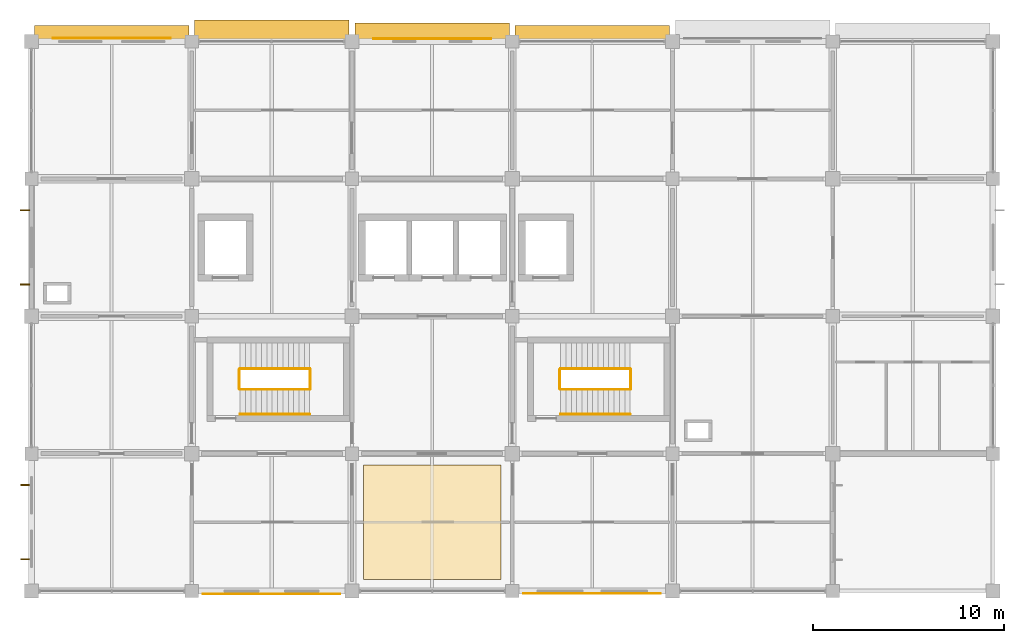
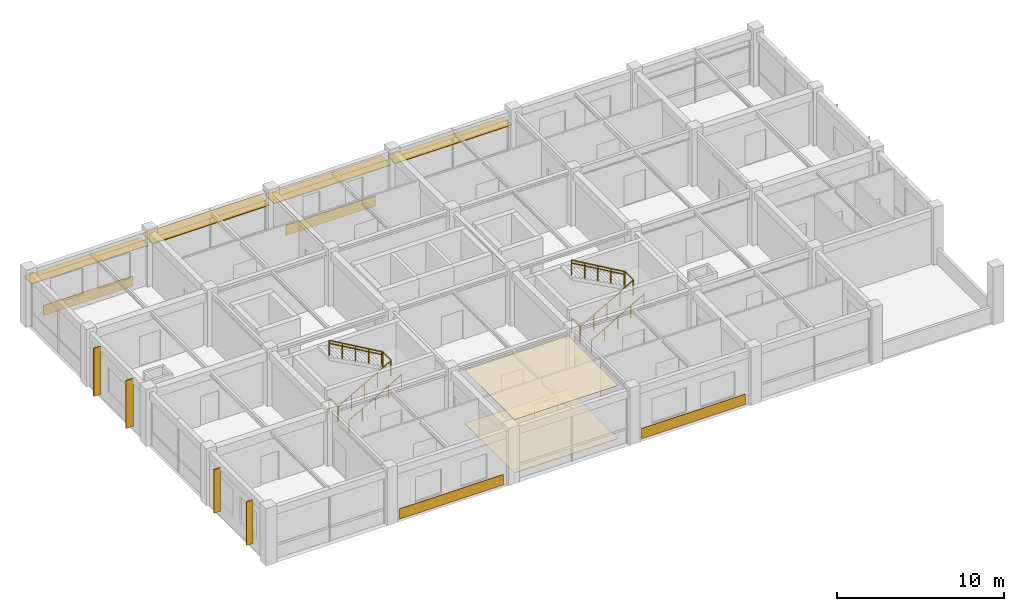
# One storey, part 13 of 14: 12 railings, 8 shading devices, 6 coverings.
"""IFC4 building model written with IfcOpenShell, lengths in metres."""

from ifc_helpers import new_model, si_unit, derived_unit, direction, frame, origin, origin_2d, place, context, subcontext, project, spatial, polyline, rectangle, circle, outline, extrude, material, layer, layer_set, type_object, element, save


model = new_model("IFC4")

# Units and contexts
model_context = context("Model", 3, precision=1e-05, world=origin(), true_north=direction((0.0, 1.0)))
body_context = subcontext(model_context, "Body", "Model", "MODEL_VIEW")
ifc_project = project(units=[si_unit("LENGTHUNIT", "METRE"), si_unit("AREAUNIT", "SQUARE_METRE"), si_unit("VOLUMEUNIT", "CUBIC_METRE"), si_unit("PLANEANGLEUNIT", "RADIAN"), si_unit("MASSUNIT", "GRAM", prefix="KILO"), derived_unit("THERMALTRANSMITTANCEUNIT", [(si_unit("MASSUNIT", "GRAM", prefix="KILO"), 1), (si_unit("TIMEUNIT", "SECOND"), -3), (si_unit("THERMODYNAMICTEMPERATUREUNIT", "KELVIN"), -1)])], contexts=[model_context])

# Site, building, storey
site_placement = place(None, origin())
site = spatial("IfcSite", under=ifc_project, at=site_placement, CompositionType="ELEMENT")
building_placement = place(site_placement, origin())
building = spatial("IfcBuilding", under=site, at=building_placement, Name="Veldstrom Oceanarium and Marine Research Institute", CompositionType="ELEMENT")
storey_placement = place(building_placement, frame((0.0, 0.0, 35.39990234375)))
storey = spatial("IfcBuildingStorey", under=building, at=storey_placement, Name="L07", CompositionType="ELEMENT", Elevation=35.39990234375)

# Coverings
ifc_material_1 = material(Name="Anodised Aluminium Spandrel Rainscreen Cladding", Category="aluminium")
ifc_layer_1 = layer(ifc_material_1, 0.75)
ifc_layer_set_1 = layer_set([ifc_layer_1], Name="ARC-COV-CD1")
covering_type_1 = type_object("IfcCoveringType", Name="ARC-COV-CD1", PredefinedType="CLADDING", material=ifc_layer_set_1)
for number, where, z_axis, x_axis, name in (
    (1, (79.78759765625, 43.04150390625, 0.045166015625), (0.0, 0.0, 1.0), (1.0, 0.0, 0.0), "Spandrel Rainscreen Cladding L07-120"),
    (2, (96.58740234375, 43.0615234375, 0.045166015625), (0.0, 0.0, 1.0), (1.0, 0.0, 0.0), "Spandrel Rainscreen Cladding L07-122"),
):
    element("IfcCovering", number, at=place(storey_placement, frame(where, z_axis=z_axis, x_axis=x_axis)), inside=storey, type_object=covering_type_1, Name=name, PredefinedType="CLADDING", context=body_context, shape_type="SweptSolid", body=[
        extrude(rectangle(XDim=7.199951171875, YDim=0.034912109375, at=origin_2d()), origin(), (0.0, 0.0, 1.0), 0.75),
    ])
ifc_material_2 = material(Name="Terracotta Spandrel Rainscreen Cladding", Category="masonry")
ifc_layer_2 = layer(ifc_material_2, 0.75)
ifc_layer_set_2 = layer_set([ifc_layer_2], Name="ARC-COV-CD2")
covering_type_2 = type_object("IfcCoveringType", Name="ARC-COV-CD2", PredefinedType="CLADDING", material=ifc_layer_set_2)
for number, where, z_axis, x_axis, name in (
    (3, (71.41259765625, 72.1708984375, 0.045166015625), (0.0, 0.0, 1.0), (1.0, 0.0, 0.0), "Spandrel Rainscreen Cladding L07-119"),
    (4, (88.21240234375, 72.15087890625, 0.045166015625), (0.0, 0.0, 1.0), (1.0, 0.0, 0.0), "Spandrel Rainscreen Cladding L07-121"),
):
    element("IfcCovering", number, at=place(storey_placement, frame(where, z_axis=z_axis, x_axis=x_axis)), inside=storey, type_object=covering_type_2, Name=name, PredefinedType="CLADDING", context=body_context, shape_type="SweptSolid", body=[
        extrude(rectangle(XDim=6.199951171875, YDim=0.0400390625, at=origin_2d()), origin(), (0.0, 0.0, 1.0), 0.75),
    ])
ifc_material_3 = material(Name="Mineral-Fibre Acoustic Ceiling Tile", Category="gypsum")
ifc_layer_3 = layer(ifc_material_3, 0.02490234375)
ifc_layer_set_3 = layer_set([ifc_layer_3], Name="ARC-COV-CL1")
covering_type_3 = type_object("IfcCoveringType", Name="ARC-COV-CL1", PredefinedType="CEILING", material=ifc_layer_set_3)
covering_1_placement = place(storey_placement, frame((0.0, 0.0, 3.89501953125)))
element("IfcCovering", 5, at=covering_1_placement, inside=storey, type_object=covering_type_3, Name="Suspended Acoustic Ceiling L07", PredefinedType="CEILING", context=body_context, shape_type="SweptSolid", body=[
    extrude(outline(polyline([(84.60009765625, 43.800048828125), (91.800048828125, 43.800048828125), (91.800048828125, 49.800048828125), (84.60009765625, 49.800048828125), (84.60009765625, 43.800048828125)])), origin(), (0.0, 0.0, 1.0), 0.025146484375),
])
ifc_material_4 = material(Name="Polished Terrazzo and Marine Epoxy Flooring", Category="concrete")
ifc_layer_4 = layer(ifc_material_4, 0.02001953125)
ifc_layer_set_4 = layer_set([ifc_layer_4], Name="ARC-COV-FL1")
covering_type_4 = type_object("IfcCoveringType", Name="ARC-COV-FL1", PredefinedType="FLOORING", material=ifc_layer_set_4)
covering_2_placement = place(storey_placement, origin())
element("IfcCovering", 6, at=covering_2_placement, inside=storey, type_object=covering_type_4, Name="Terrazzo and Marine Epoxy Floor Finish L07", PredefinedType="FLOORING", context=body_context, shape_type="SweptSolid", body=[
    extrude(outline(polyline([(84.60009765625, 43.800048828125), (91.800048828125, 43.800048828125), (91.800048828125, 49.800048828125), (84.60009765625, 49.800048828125), (84.60009765625, 43.800048828125)])), origin(), (0.0, 0.0, 1.0), 0.02001953125),
])

# Railings
ifc_material_5 = material(Name="Duplex Stainless Steel Balustrade", Category="steel")
ifc_layer_5 = layer(ifc_material_5, 0.06005859375)
ifc_layer_set_5 = layer_set([ifc_layer_5], Name="ARC-RLG-GR1")
railing_type_1 = type_object("IfcRailingType", Name="ARC-RLG-GR1", PredefinedType="GUARDRAIL", material=ifc_layer_set_5)
railing_1_placement = place(storey_placement, frame((78.10009765625, 53.800048828125, 0.0)))
element("IfcRailing", 7, at=railing_1_placement, inside=storey, type_object=railing_type_1, Name="Stair Well Landing Guard ST1 L07", PredefinedType="GUARDRAIL", context=body_context, shape_type="SweptSolid", body=[
    extrude(circle(Radius=0.02392578125, at=origin_2d()), frame((0.0, 0.0, 1.09619140625), z_axis=(0.0, 1.0, 0.0), x_axis=(-1.0, 0.0, 0.0)), (0.0, 0.0, 1.0), 1.0),
    extrude(circle(Radius=0.02099609375, at=origin_2d()), origin(), (0.0, 0.0, 1.0), 1.072021484375),
    extrude(circle(Radius=0.02099609375, at=origin_2d()), frame((0.0, 1.0, 0.0)), (0.0, 0.0, 1.0), 1.072021484375),
])
railing_2_placement = place(storey_placement, frame((78.139892578125, 53.760009765625, 0.0)))
element("IfcRailing", 8, at=railing_2_placement, inside=storey, type_object=railing_type_1, Name="Stair Flight Guardrail ST1-L07-1", PredefinedType="GUARDRAIL", context=body_context, shape_type="SweptSolid", body=[
    extrude(circle(Radius=0.02392578125, at=origin_2d()), frame((0.0, 0.0, 1.09619140625), z_axis=(0.86618365172, 0.0, 0.499725806311), x_axis=(0.0, 1.0, 0.0)), (0.0, 0.0, 1.0), 4.202392578125),
    extrude(circle(Radius=0.02099609375, at=origin_2d()), origin(), (0.0, 0.0, 1.0), 1.072021484375),
    extrude(circle(Radius=0.02099609375, at=origin_2d()), frame((0.91015625, 0.0, 0.52490234375)), (0.0, 0.0, 1.0), 1.072021484375),
    extrude(circle(Radius=0.02099609375, at=origin_2d()), frame((1.820068359375, 0.0, 1.050048828125)), (0.0, 0.0, 1.0), 1.072021484375),
    extrude(circle(Radius=0.02099609375, at=origin_2d()), frame((2.72998046875, 0.0, 1.5751953125)), (0.0, 0.0, 1.0), 1.072021484375),
    extrude(circle(Radius=0.02099609375, at=origin_2d()), frame((3.64013671875, 0.0, 2.10009765625)), (0.0, 0.0, 1.0), 1.072021484375),
])
railing_3_placement = place(storey_placement, frame((81.820068359375, 53.800048828125, 2.10009765625)))
element("IfcRailing", 9, at=railing_3_placement, inside=storey, type_object=railing_type_1, Name="Stair Half-Landing Guardrail ST1-L07", PredefinedType="GUARDRAIL", context=body_context, shape_type="SweptSolid", body=[
    extrude(circle(Radius=0.02392578125, at=origin_2d()), frame((0.0, 0.0, 1.09619140625), z_axis=(0.0, 1.0, 0.0), x_axis=(-1.0, 0.0, 0.0)), (0.0, 0.0, 1.0), 1.0),
    extrude(circle(Radius=0.02099609375, at=origin_2d()), origin(), (0.0, 0.0, 1.0), 1.072021484375),
    extrude(circle(Radius=0.02099609375, at=origin_2d()), frame((0.0, 1.0, 0.0)), (0.0, 0.0, 1.0), 1.072021484375),
])
railing_4_placement = place(storey_placement, frame((81.780029296875, 54.840087890625, 2.10009765625)))
element("IfcRailing", 10, at=railing_4_placement, inside=storey, type_object=railing_type_1, Name="Stair Flight Guardrail ST1-L07-2", PredefinedType="GUARDRAIL", context=body_context, shape_type="SweptSolid", body=[
    extrude(circle(Radius=0.02392578125, at=origin_2d()), frame((0.0, 0.0, 1.09619140625), z_axis=(-0.86618365172, 0.0, 0.499725806311), x_axis=(0.0, -1.0, 0.0)), (0.0, 0.0, 1.0), 4.202392578125),
    extrude(circle(Radius=0.02099609375, at=origin_2d()), origin(), (0.0, 0.0, 1.0), 1.072021484375),
    extrude(circle(Radius=0.02099609375, at=origin_2d()), frame((-0.91015625, 0.0, 0.52490234375)), (0.0, 0.0, 1.0), 1.072021484375),
    extrude(circle(Radius=0.02099609375, at=origin_2d()), frame((-1.820068359375, 0.0, 1.050048828125)), (0.0, 0.0, 1.0), 1.072021484375),
    extrude(circle(Radius=0.02099609375, at=origin_2d()), frame((-2.72998046875, 0.0, 1.5751953125)), (0.0, 0.0, 1.0), 1.072021484375),
    extrude(circle(Radius=0.02099609375, at=origin_2d()), frame((-3.64013671875, 0.0, 2.10009765625)), (0.0, 0.0, 1.0), 1.072021484375),
])
railing_5_placement = place(storey_placement, frame((94.89990234375, 53.800048828125, 0.0)))
element("IfcRailing", 11, at=railing_5_placement, inside=storey, type_object=railing_type_1, Name="Stair Well Landing Guard ST2 L07", PredefinedType="GUARDRAIL", context=body_context, shape_type="SweptSolid", body=[
    extrude(circle(Radius=0.02392578125, at=origin_2d()), frame((0.0, 0.0, 1.09619140625), z_axis=(0.0, 1.0, 0.0), x_axis=(-1.0, 0.0, 0.0)), (0.0, 0.0, 1.0), 1.0),
    extrude(circle(Radius=0.02099609375, at=origin_2d()), origin(), (0.0, 0.0, 1.0), 1.072021484375),
    extrude(circle(Radius=0.02099609375, at=origin_2d()), frame((0.0, 1.0, 0.0)), (0.0, 0.0, 1.0), 1.072021484375),
])
railing_6_placement = place(storey_placement, frame((94.93994140625, 53.760009765625, 0.0)))
element("IfcRailing", 12, at=railing_6_placement, inside=storey, type_object=railing_type_1, Name="Stair Flight Guardrail ST2-L07-1", PredefinedType="GUARDRAIL", context=body_context, shape_type="SweptSolid", body=[
    extrude(circle(Radius=0.02392578125, at=origin_2d()), frame((0.0, 0.0, 1.09619140625), z_axis=(0.86618365172, 0.0, 0.499725806311), x_axis=(0.0, 1.0, 0.0)), (0.0, 0.0, 1.0), 4.202392578125),
    extrude(circle(Radius=0.02099609375, at=origin_2d()), origin(), (0.0, 0.0, 1.0), 1.072021484375),
    extrude(circle(Radius=0.02099609375, at=origin_2d()), frame((0.91015625, 0.0, 0.52490234375)), (0.0, 0.0, 1.0), 1.072021484375),
    extrude(circle(Radius=0.02099609375, at=origin_2d()), frame((1.820068359375, 0.0, 1.050048828125)), (0.0, 0.0, 1.0), 1.072021484375),
    extrude(circle(Radius=0.02099609375, at=origin_2d()), frame((2.72998046875, 0.0, 1.5751953125)), (0.0, 0.0, 1.0), 1.072021484375),
    extrude(circle(Radius=0.02099609375, at=origin_2d()), frame((3.64013671875, 0.0, 2.10009765625)), (0.0, 0.0, 1.0), 1.072021484375),
])
railing_7_placement = place(storey_placement, frame((98.6201171875, 53.800048828125, 2.10009765625)))
element("IfcRailing", 13, at=railing_7_placement, inside=storey, type_object=railing_type_1, Name="Stair Half-Landing Guardrail ST2-L07", PredefinedType="GUARDRAIL", context=body_context, shape_type="SweptSolid", body=[
    extrude(circle(Radius=0.02392578125, at=origin_2d()), frame((0.0, 0.0, 1.09619140625), z_axis=(0.0, 1.0, 0.0), x_axis=(-1.0, 0.0, 0.0)), (0.0, 0.0, 1.0), 1.0),
    extrude(circle(Radius=0.02099609375, at=origin_2d()), origin(), (0.0, 0.0, 1.0), 1.072021484375),
    extrude(circle(Radius=0.02099609375, at=origin_2d()), frame((0.0, 1.0, 0.0)), (0.0, 0.0, 1.0), 1.072021484375),
])
railing_8_placement = place(storey_placement, frame((98.580078125, 54.840087890625, 2.10009765625)))
element("IfcRailing", 14, at=railing_8_placement, inside=storey, type_object=railing_type_1, Name="Stair Flight Guardrail ST2-L07-2", PredefinedType="GUARDRAIL", context=body_context, shape_type="SweptSolid", body=[
    extrude(circle(Radius=0.02392578125, at=origin_2d()), frame((0.0, 0.0, 1.09619140625), z_axis=(-0.86618365172, 0.0, 0.499725806311), x_axis=(0.0, -1.0, 0.0)), (0.0, 0.0, 1.0), 4.202392578125),
    extrude(circle(Radius=0.02099609375, at=origin_2d()), origin(), (0.0, 0.0, 1.0), 1.072021484375),
    extrude(circle(Radius=0.02099609375, at=origin_2d()), frame((-0.91015625, 0.0, 0.52490234375)), (0.0, 0.0, 1.0), 1.072021484375),
    extrude(circle(Radius=0.02099609375, at=origin_2d()), frame((-1.820068359375, 0.0, 1.050048828125)), (0.0, 0.0, 1.0), 1.072021484375),
    extrude(circle(Radius=0.02099609375, at=origin_2d()), frame((-2.72998046875, 0.0, 1.5751953125)), (0.0, 0.0, 1.0), 1.072021484375),
    extrude(circle(Radius=0.02099609375, at=origin_2d()), frame((-3.64013671875, 0.0, 2.10009765625)), (0.0, 0.0, 1.0), 1.072021484375),
])
ifc_material_6 = material(Name="Brushed Stainless Steel Handrail", Category="steel")
ifc_layer_6 = layer(ifc_material_6, 0.050048828125)
ifc_layer_set_6 = layer_set([ifc_layer_6], Name="ARC-RLG-HR1")
railing_type_2 = type_object("IfcRailingType", Name="ARC-RLG-HR1", PredefinedType="HANDRAIL", material=ifc_layer_set_6)
railing_9_placement = place(storey_placement, frame((78.139892578125, 52.4599609375, 0.0)))
element("IfcRailing", 15, at=railing_9_placement, inside=storey, type_object=railing_type_2, Name="Stair Wall Handrail ST1-L07-1", PredefinedType="HANDRAIL", context=body_context, shape_type="SweptSolid", body=[
    extrude(circle(Radius=0.02392578125, at=origin_2d()), frame((0.0, 0.0, 0.8759765625), z_axis=(0.86618365172, 0.0, 0.499725806311), x_axis=(0.0, 1.0, 0.0)), (0.0, 0.0, 1.0), 4.202392578125),
    extrude(circle(Radius=0.02099609375, at=origin_2d()), origin(), (0.0, 0.0, 1.0), 0.851806640625),
    extrude(circle(Radius=0.02099609375, at=origin_2d()), frame((0.91015625, 0.0, 0.52490234375)), (0.0, 0.0, 1.0), 0.851806640625),
    extrude(circle(Radius=0.02099609375, at=origin_2d()), frame((1.820068359375, 0.0, 1.050048828125)), (0.0, 0.0, 1.0), 0.851806640625),
    extrude(circle(Radius=0.02099609375, at=origin_2d()), frame((2.72998046875, 0.0, 1.5751953125)), (0.0, 0.0, 1.0), 0.851806640625),
    extrude(circle(Radius=0.02099609375, at=origin_2d()), frame((3.64013671875, 0.0, 2.10009765625)), (0.0, 0.0, 1.0), 0.851806640625),
])
railing_10_placement = place(storey_placement, frame((81.780029296875, 54.860107421875, 2.10009765625)))
element("IfcRailing", 16, at=railing_10_placement, inside=storey, type_object=railing_type_2, Name="Stair Wall Handrail ST1-L07-2", PredefinedType="HANDRAIL", context=body_context, shape_type="SweptSolid", body=[
    extrude(circle(Radius=0.02392578125, at=origin_2d()), frame((0.0, 0.0, 0.8759765625), z_axis=(-0.86618365172, 0.0, 0.499725806311), x_axis=(0.0, -1.0, 0.0)), (0.0, 0.0, 1.0), 4.202392578125),
    extrude(circle(Radius=0.02099609375, at=origin_2d()), origin(), (0.0, 0.0, 1.0), 0.851806640625),
    extrude(circle(Radius=0.02099609375, at=origin_2d()), frame((-0.91015625, 0.0, 0.52490234375)), (0.0, 0.0, 1.0), 0.851806640625),
    extrude(circle(Radius=0.02099609375, at=origin_2d()), frame((-1.820068359375, 0.0, 1.050048828125)), (0.0, 0.0, 1.0), 0.851806640625),
    extrude(circle(Radius=0.02099609375, at=origin_2d()), frame((-2.72998046875, 0.0, 1.5751953125)), (0.0, 0.0, 1.0), 0.851806640625),
    extrude(circle(Radius=0.02099609375, at=origin_2d()), frame((-3.64013671875, 0.0, 2.10009765625)), (0.0, 0.0, 1.0), 0.851806640625),
])
railing_11_placement = place(storey_placement, frame((94.93994140625, 52.4599609375, 0.0)))
element("IfcRailing", 17, at=railing_11_placement, inside=storey, type_object=railing_type_2, Name="Stair Wall Handrail ST2-L07-1", PredefinedType="HANDRAIL", context=body_context, shape_type="SweptSolid", body=[
    extrude(circle(Radius=0.02392578125, at=origin_2d()), frame((0.0, 0.0, 0.8759765625), z_axis=(0.86618365172, 0.0, 0.499725806311), x_axis=(0.0, 1.0, 0.0)), (0.0, 0.0, 1.0), 4.202392578125),
    extrude(circle(Radius=0.02099609375, at=origin_2d()), origin(), (0.0, 0.0, 1.0), 0.851806640625),
    extrude(circle(Radius=0.02099609375, at=origin_2d()), frame((0.91015625, 0.0, 0.52490234375)), (0.0, 0.0, 1.0), 0.851806640625),
    extrude(circle(Radius=0.02099609375, at=origin_2d()), frame((1.820068359375, 0.0, 1.050048828125)), (0.0, 0.0, 1.0), 0.851806640625),
    extrude(circle(Radius=0.02099609375, at=origin_2d()), frame((2.72998046875, 0.0, 1.5751953125)), (0.0, 0.0, 1.0), 0.851806640625),
    extrude(circle(Radius=0.02099609375, at=origin_2d()), frame((3.64013671875, 0.0, 2.10009765625)), (0.0, 0.0, 1.0), 0.851806640625),
])
railing_12_placement = place(storey_placement, frame((98.580078125, 54.860107421875, 2.10009765625)))
element("IfcRailing", 18, at=railing_12_placement, inside=storey, type_object=railing_type_2, Name="Stair Wall Handrail ST2-L07-2", PredefinedType="HANDRAIL", context=body_context, shape_type="SweptSolid", body=[
    extrude(circle(Radius=0.02392578125, at=origin_2d()), frame((0.0, 0.0, 0.8759765625), z_axis=(-0.86618365172, 0.0, 0.499725806311), x_axis=(0.0, -1.0, 0.0)), (0.0, 0.0, 1.0), 4.202392578125),
    extrude(circle(Radius=0.02099609375, at=origin_2d()), origin(), (0.0, 0.0, 1.0), 0.851806640625),
    extrude(circle(Radius=0.02099609375, at=origin_2d()), frame((-0.91015625, 0.0, 0.52490234375)), (0.0, 0.0, 1.0), 0.851806640625),
    extrude(circle(Radius=0.02099609375, at=origin_2d()), frame((-1.820068359375, 0.0, 1.050048828125)), (0.0, 0.0, 1.0), 0.851806640625),
    extrude(circle(Radius=0.02099609375, at=origin_2d()), frame((-2.72998046875, 0.0, 1.5751953125)), (0.0, 0.0, 1.0), 0.851806640625),
    extrude(circle(Radius=0.02099609375, at=origin_2d()), frame((-3.64013671875, 0.0, 2.10009765625)), (0.0, 0.0, 1.0), 0.851806640625),
])

# Shading devices
ifc_material_7 = material(Name="Precast Terracotta Brise-Soleil Louvre", Category="masonry")
ifc_layer_7 = layer(ifc_material_7, 3.199951171875)
ifc_layer_set_7 = layer_set([ifc_layer_7], Name="ARC-SHD-BS02")
shading_device_type_1 = type_object("IfcShadingDeviceType", Name="ARC-SHD-BS02", PredefinedType="JALOUSIE", material=ifc_layer_set_7)
for number, where, z_axis, x_axis, name in (
    (19, (66.85498046875, 44.8701171875, 0.3603515625), (0.0, 0.0, 1.0), (1.0, 0.0, 0.0), "Terracotta Brise-Soleil Louvre L07-117"),
    (20, (66.85498046875, 48.7548828125, 0.3603515625), (0.0, 0.0, 1.0), (1.0, 0.0, 0.0), "Terracotta Brise-Soleil Louvre L07-117"),
):
    element("IfcShadingDevice", number, at=place(storey_placement, frame(where, z_axis=z_axis, x_axis=x_axis)), inside=storey, type_object=shading_device_type_1, Name=name, PredefinedType="JALOUSIE", context=body_context, shape_type="SweptSolid", body=[
        extrude(rectangle(XDim=0.449951171875, YDim=0.06005859375, at=origin_2d()), origin(), (0.0, 0.0, 1.0), 3.199951171875),
    ])
ifc_material_8 = material(Name="Precast Terracotta Brise-Soleil Louvre", Category="masonry")
ifc_layer_8 = layer(ifc_material_8, 4.199951171875)
ifc_layer_set_8 = layer_set([ifc_layer_8], Name="ARC-SHD-BS03")
shading_device_type_2 = type_object("IfcShadingDeviceType", Name="ARC-SHD-BS03", PredefinedType="JALOUSIE", material=ifc_layer_set_8)
for number, where, z_axis, x_axis, name in (
    (21, (66.847412109375, 59.27001953125, 0.2001953125), (0.0, 0.0, 1.0), (1.0, 0.0, 0.0), "Terracotta Brise-Soleil Louvre L07-118"),
    (22, (66.847412109375, 63.155029296875, 0.2001953125), (0.0, 0.0, 1.0), (1.0, 0.0, 0.0), "Terracotta Brise-Soleil Louvre L07-118"),
):
    element("IfcShadingDevice", number, at=place(storey_placement, frame(where, z_axis=z_axis, x_axis=x_axis)), inside=storey, type_object=shading_device_type_2, Name=name, PredefinedType="JALOUSIE", context=body_context, shape_type="SweptSolid", body=[
        extrude(rectangle(XDim=0.5, YDim=0.06494140625, at=origin_2d()), origin(), (0.0, 0.0, 1.0), 3.52001953125),
    ])
ifc_material_9 = material(Name="Perforated Anodised Aluminium Louvre", Category="aluminium")
ifc_layer_9 = layer(ifc_material_9, 0.054931640625)
ifc_layer_set_9 = layer_set([ifc_layer_9], Name="ARC-SHD-SH01")
shading_device_type_3 = type_object("IfcShadingDeviceType", Name="ARC-SHD-SH01", PredefinedType="AWNING", material=ifc_layer_set_9)
shading_device_1_placement = place(storey_placement, frame((79.800048828125, 72.5048828125, 2.85009765625), z_axis=(0.0, 0.0, 1.0), x_axis=(1.0, 0.0, 0.0)))
element("IfcShadingDevice", 23, at=shading_device_1_placement, inside=storey, type_object=shading_device_type_3, Name="North Solar Canopy Louvre L07-10", PredefinedType="AWNING", context=body_context, shape_type="SweptSolid", body=[
    extrude(rectangle(XDim=8.10009765625, YDim=1.25, at=origin_2d()), origin(), (0.0, 0.0, 1.0), 0.054931640625),
])
ifc_material_10 = material(Name="Perforated Anodised Aluminium Louvre", Category="aluminium")
ifc_layer_10 = layer(ifc_material_10, 0.050048828125)
ifc_layer_set_10 = layer_set([ifc_layer_10], Name="ARC-SHD-SH02")
shading_device_type_4 = type_object("IfcShadingDeviceType", Name="ARC-SHD-SH02", PredefinedType="AWNING", material=ifc_layer_set_10)
shading_device_2_placement = place(storey_placement, frame((88.199951171875, 72.429931640625, 2.85009765625), z_axis=(0.0, 0.0, 1.0), x_axis=(1.0, 0.0, 0.0)))
element("IfcShadingDevice", 24, at=shading_device_2_placement, inside=storey, type_object=shading_device_type_4, Name="North Solar Canopy Louvre L07-11", PredefinedType="AWNING", context=body_context, shape_type="SweptSolid", body=[
    extrude(rectangle(XDim=8.10009765625, YDim=1.10009765625, at=origin_2d()), origin(), (0.0, 0.0, 1.0), 0.050048828125),
])
ifc_material_11 = material(Name="Perforated Anodised Aluminium Louvre", Category="aluminium")
ifc_layer_11 = layer(ifc_material_11, 0.044921875)
ifc_layer_set_11 = layer_set([ifc_layer_11], Name="ARC-SHD-SH03")
shading_device_type_5 = type_object("IfcShadingDeviceType", Name="ARC-SHD-SH03", PredefinedType="AWNING", material=ifc_layer_set_11)
for number, where, z_axis, x_axis, name in (
    (25, (71.39990234375, 72.35498046875, 2.85009765625), (0.0, 0.0, 1.0), (1.0, 0.0, 0.0), "North Solar Canopy Louvre L07-9"),
    (26, (96.60009765625, 72.35498046875, 2.85009765625), (0.0, 0.0, 1.0), (1.0, 0.0, 0.0), "North Solar Canopy Louvre L07-12"),
):
    element("IfcShadingDevice", number, at=place(storey_placement, frame(where, z_axis=z_axis, x_axis=x_axis)), inside=storey, type_object=shading_device_type_5, Name=name, PredefinedType="AWNING", context=body_context, shape_type="SweptSolid", body=[
        extrude(rectangle(XDim=8.10009765625, YDim=0.949951171875, at=origin_2d()), origin(), (0.0, 0.0, 1.0), 0.044921875),
    ])

save(model, "model.ifc")
